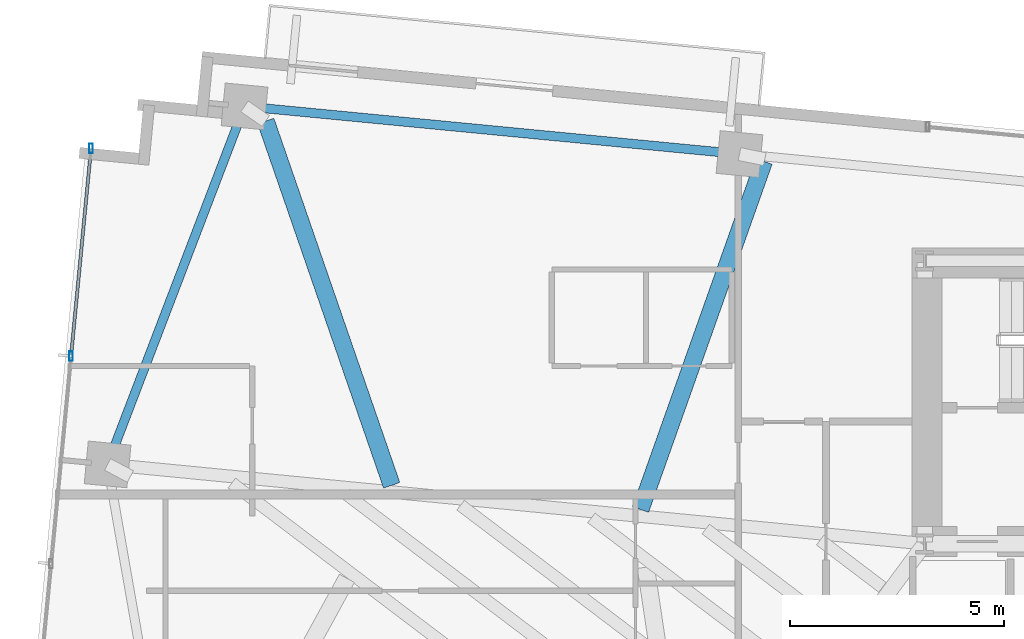
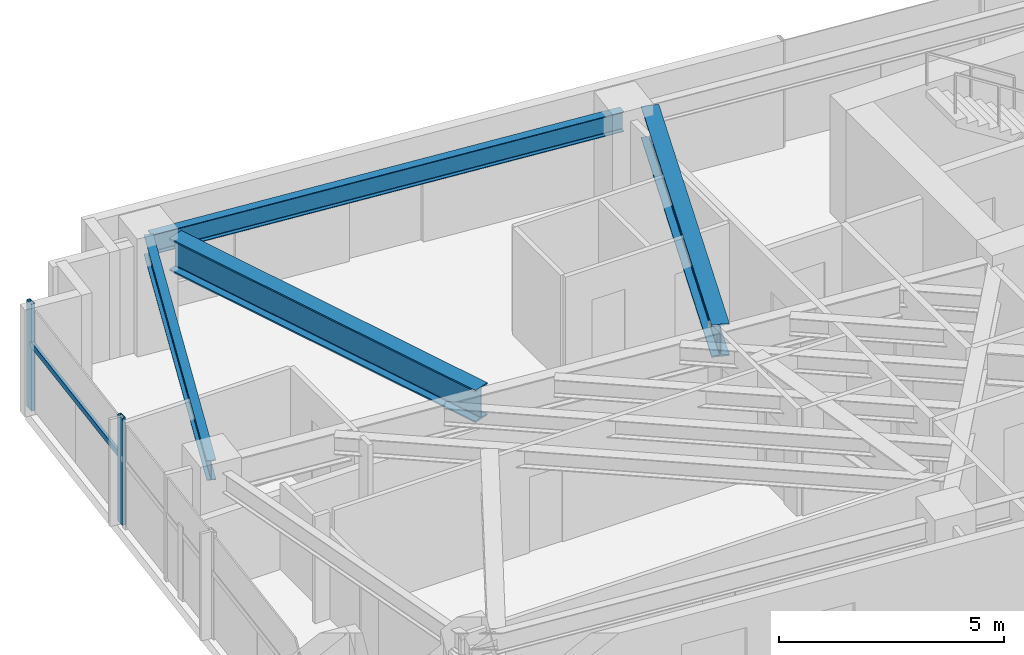
# One storey, part 6 of 20: 4 beams, 3 members, 1 element without a shape of its own.
"""IFC4 building model written with IfcOpenShell, lengths in metres."""

from ifc_helpers import new_model, si_unit, direction, frame, origin, origin_2d, place, context, subcontext, project, spatial, hollow_rectangle, i_section, extrude, source, transform, mapped, material, material_profile, profile_set, type_object, type_shapes, element, aggregate, save


model = new_model("IFC4")

# Units and contexts
model_context = context("Model", 3, precision=1e-05, world=origin(), true_north=direction((0.0, 1.0)))
body_context = subcontext(model_context, "Body", "Model", "MODEL_VIEW")
ifc_project = project(units=[si_unit("LENGTHUNIT", "METRE"), si_unit("AREAUNIT", "SQUARE_METRE"), si_unit("VOLUMEUNIT", "CUBIC_METRE"), si_unit("PLANEANGLEUNIT", "RADIAN"), si_unit("MASSUNIT", "GRAM", prefix="KILO")], contexts=[model_context])

# Site, building, storey
site_placement = place(None, origin())
site = spatial("IfcSite", under=ifc_project, at=site_placement, CompositionType="ELEMENT")
building_placement = place(site_placement, origin())
building = spatial("IfcBuilding", under=site, at=building_placement, Name="Astriad Promenade Condominiums", CompositionType="ELEMENT")
storey_placement = place(building_placement, frame((0.0, 0.0, 159.800048828125)))
storey = spatial("IfcBuildingStorey", under=building, at=storey_placement, Name="L46", CompositionType="ELEMENT", Elevation=159.800048828125)

# Beams
ifc_material_1 = material(Name="Steel ASTM A992 Grade 50", Category="steel")
ifc_material_profile_1 = material_profile(ifc_material_1, i_section(OverallWidth=0.210693359375, OverallDepth=0.53955078125, WebThickness=0.01171875, FlangeThickness=0.018798828125, FilletRadius=0.0166015625, at=origin_2d()), Name="W21X73")
ifc_profile_set_1 = profile_set([ifc_material_profile_1], Name="Steel ASTM A992 Grade 50")
beam_type_1 = type_object("IfcBeamType", Name="STEEL SPANDREL BEAM W21X73", PredefinedType="SPANDREL", material=ifc_profile_set_1)
shared_shape_1 = source(origin(), body_context, "Body", "SweptSolid", [
    extrude(i_section(OverallWidth=0.210693359375, OverallDepth=0.53955078125, WebThickness=0.01171875, FlangeThickness=0.018798828125, FilletRadius=0.0166015625, at=origin_2d()), origin(), (0.0, 0.0, 1.0), 11.52001953125),
])
beam_1_placement = place(storey_placement, frame((22.039794921875, 26.495849609375, 2.63037109375), z_axis=(-0.9953953902, 0.095854145285, 0.0), x_axis=(-0.095854145285, -0.9953953902, 0.0)))
element("IfcBeam", 1, at=beam_1_placement, inside=storey, type_object=beam_type_1, Name="Perimeter Spandrel Beam SP-N1-L46", PredefinedType="SPANDREL", context=body_context, shape_type="MappedRepresentation", body=[
    mapped(shared_shape_1, transform((0.0, 0.0, 0.0), scale=1.0)),
])
shared_shape_2 = source(origin(), body_context, "Body", "SweptSolid", [
    extrude(i_section(OverallWidth=0.210693359375, OverallDepth=0.53955078125, WebThickness=0.01171875, FlangeThickness=0.018798828125, FilletRadius=0.0166015625, at=origin_2d()), origin(), (0.0, 0.0, 1.0), 8.862548828125),
])
type_shapes(beam_type_1, [shared_shape_1, shared_shape_2])
beam_2_placement = place(storey_placement, frame((10.518798828125, 27.56640625, 2.63037109375), z_axis=(-0.357322663703, -0.933981003021, 0.0), x_axis=(0.933981003021, -0.357322663703, 0.0)))
element("IfcBeam", 2, at=beam_2_placement, inside=storey, type_object=beam_type_1, Name="Perimeter Spandrel Beam SP-W2-L46", PredefinedType="SPANDREL", context=body_context, shape_type="MappedRepresentation", body=[
    mapped(shared_shape_2, transform((0.0, 0.0, 0.0), scale=1.0)),
])
ifc_material_profile_2 = material_profile(ifc_material_1, i_section(OverallWidth=0.4013671875, OverallDepth=0.877197265625, WebThickness=0.022216796875, FlangeThickness=0.039794921875, FilletRadius=0.02294921875, at=origin_2d()), Name="W33X263")
ifc_profile_set_2 = profile_set([ifc_material_profile_2], Name="Steel ASTM A992 Grade 50")
beam_type_2 = type_object("IfcBeamType", Name="STEEL TRANSFER CARRIER GIRDER W33X263", PredefinedType="BEAM", material=ifc_profile_set_2)
shared_shape_3 = source(origin(), body_context, "Body", "SweptSolid", [
    extrude(i_section(OverallWidth=0.4013671875, OverallDepth=0.877197265625, WebThickness=0.022216796875, FlangeThickness=0.039794921875, FilletRadius=0.02294921875, at=origin_2d()), origin(), (0.0, 0.0, 1.0), 8.99169921875),
])
beam_3_placement = place(storey_placement, frame((13.9658203125, 18.763671875, 2.46142578125), z_axis=(-0.326772955748, 0.945102870269, 0.0), x_axis=(-0.945102870269, -0.326772955748, 0.0)))
element("IfcBeam", 3, at=beam_3_placement, inside=storey, type_object=beam_type_2, Name="Transfer Splice Carrier TRM-SP-PC06-L46", PredefinedType="BEAM", context=body_context, shape_type="MappedRepresentation", body=[
    mapped(shared_shape_3, transform((0.0, 0.0, 0.0), scale=1.0)),
])
shared_shape_4 = source(origin(), body_context, "Body", "SweptSolid", [
    extrude(i_section(OverallWidth=0.4013671875, OverallDepth=0.877197265625, WebThickness=0.022216796875, FlangeThickness=0.039794921875, FilletRadius=0.02294921875, at=origin_2d()), origin(), (0.0, 0.0, 1.0), 8.616943359375),
])
type_shapes(beam_type_2, [shared_shape_3, shared_shape_4])
beam_4_placement = place(storey_placement, frame((19.77001953125, 18.200439453125, 2.46142578125), z_axis=(0.334350587385, 0.94244877034, 0.0), x_axis=(-0.94244877034, 0.334350587385, 0.0)))
element("IfcBeam", 4, at=beam_4_placement, inside=storey, type_object=beam_type_2, Name="Transfer Splice Carrier TRM-SP-PC07-L46", PredefinedType="BEAM", context=body_context, shape_type="MappedRepresentation", body=[
    mapped(shared_shape_4, transform((0.0, 0.0, 0.0), scale=1.0)),
])

# Curtain wall, members
ifc_material_2 = material(Name="Anodised aluminium Black Dark Glass Unitised", Category="aluminium")
curtain_wall_type = type_object("IfcCurtainWallType", Name="CW-B34-DARK", PredefinedType="USERDEFINED", material=ifc_material_2)
curtain_wall_placement = place(storey_placement, origin())
curtain_wall = element("IfcCurtainWall", 5, at=curtain_wall_placement, inside=storey, type_object=curtain_wall_type, Name="CW-L46-W", ObjectType="UNITISED_CURTAIN_WALL", PredefinedType="USERDEFINED")
ifc_material_3 = material(Name="Anodised aluminium 6063-T6 Black", Category="aluminium")
ifc_material_profile_3 = material_profile(ifc_material_3, hollow_rectangle(XDim=0.074951171875, YDim=0.14990234375, WallThickness=0.004150390625, at=origin_2d()), Name="ALU-TRN-75X150")
ifc_profile_set_3 = profile_set([ifc_material_profile_3], Name="Anodised aluminium 6063-T6 Black")
member_type_1 = type_object("IfcMemberType", Name="TRN-ALU-TRN-75X150", PredefinedType="USERDEFINED", material=ifc_profile_set_3)
shared_shape_5 = source(origin(), body_context, "Body", "SweptSolid", [
    extrude(hollow_rectangle(XDim=0.074951171875, YDim=0.14990234375, WallThickness=0.004150390625, at=origin_2d()), origin(), (0.0, 0.0, 1.0), 4.86669921875),
])
type_shapes(member_type_1, [shared_shape_5])
member_1_placement = place(storey_placement, frame((6.486083984375, 21.7783203125, 1.7978515625), z_axis=(0.095817554883, 0.995398913088, 0.0), x_axis=(-0.995398913088, 0.095817554883, 0.0)))
member_1 = element("IfcMember", 6, at=member_1_placement, type_object=member_type_1, Name="CW-L46-W-TRN-02-0", ObjectType="TRANSOM", PredefinedType="USERDEFINED", context=body_context, shape_type="MappedRepresentation", body=[
    mapped(shared_shape_5, transform((0.0, 0.0, 0.0), scale=1.0)),
])
ifc_material_profile_4 = material_profile(ifc_material_3, hollow_rectangle(XDim=0.0849609375, YDim=0.219970703125, WallThickness=0.0048828125, at=origin_2d()), Name="ALU-MUL-85X220")
ifc_profile_set_4 = profile_set([ifc_material_profile_4], Name="Anodised aluminium 6063-T6 Black")
member_type_2 = type_object("IfcMemberType", Name="MUL-ALU-MUL-85X220", PredefinedType="MULLION", material=ifc_profile_set_4)
shared_shape_6 = source(origin(), body_context, "Body", "SweptSolid", [
    extrude(hollow_rectangle(XDim=0.0849609375, YDim=0.219970703125, WallThickness=0.0048828125, at=origin_2d()), origin(), (0.0, 0.0, 1.0), 2.89990234375),
])
type_shapes(member_type_2, [shared_shape_6])
member_2_placement = place(storey_placement, frame((6.486083984375, 21.7783203125, 0.0), z_axis=(0.0, 0.0, 1.0), x_axis=(1.0, 0.0, 0.0)))
member_2 = element("IfcMember", 7, at=member_2_placement, type_object=member_type_2, Name="CW-L46-W-MUL-02", PredefinedType="MULLION", context=body_context, shape_type="MappedRepresentation", body=[
    mapped(shared_shape_6, transform((0.0, 0.0, 0.0), scale=1.0)),
])
member_3_placement = place(storey_placement, frame((6.952392578125, 26.62255859375, 0.0), z_axis=(0.0, 0.0, 1.0), x_axis=(1.0, 0.0, 0.0)))
member_3 = element("IfcMember", 8, at=member_3_placement, type_object=member_type_2, Name="CW-L46-W-MUL-03", PredefinedType="MULLION", context=body_context, shape_type="MappedRepresentation", body=[
    mapped(shared_shape_6, transform((0.0, 0.0, 0.0), scale=1.0)),
])
aggregate(curtain_wall, [member_2, member_3, member_1])

save(model, "model.ifc")
